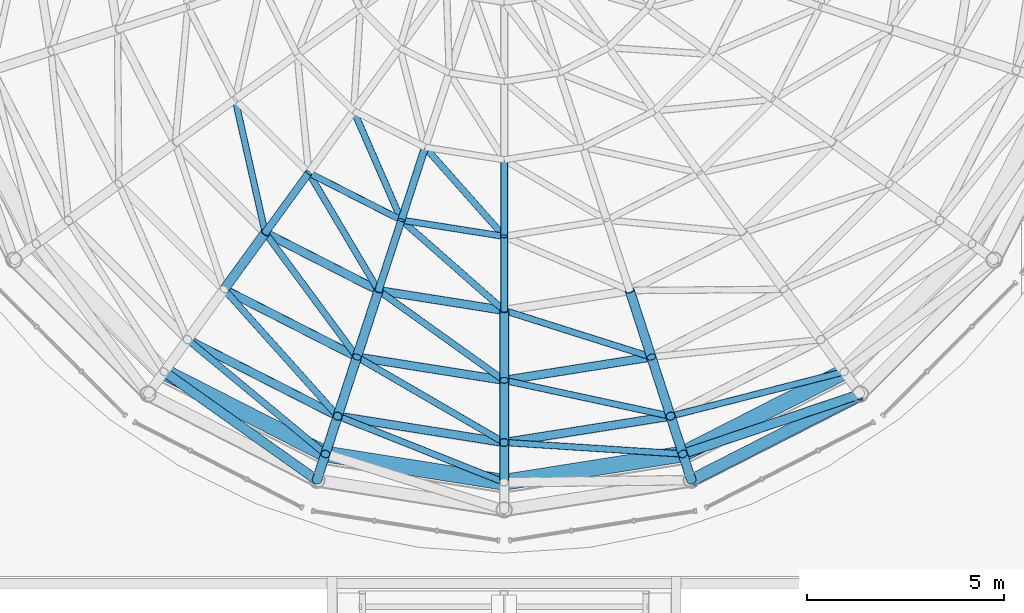
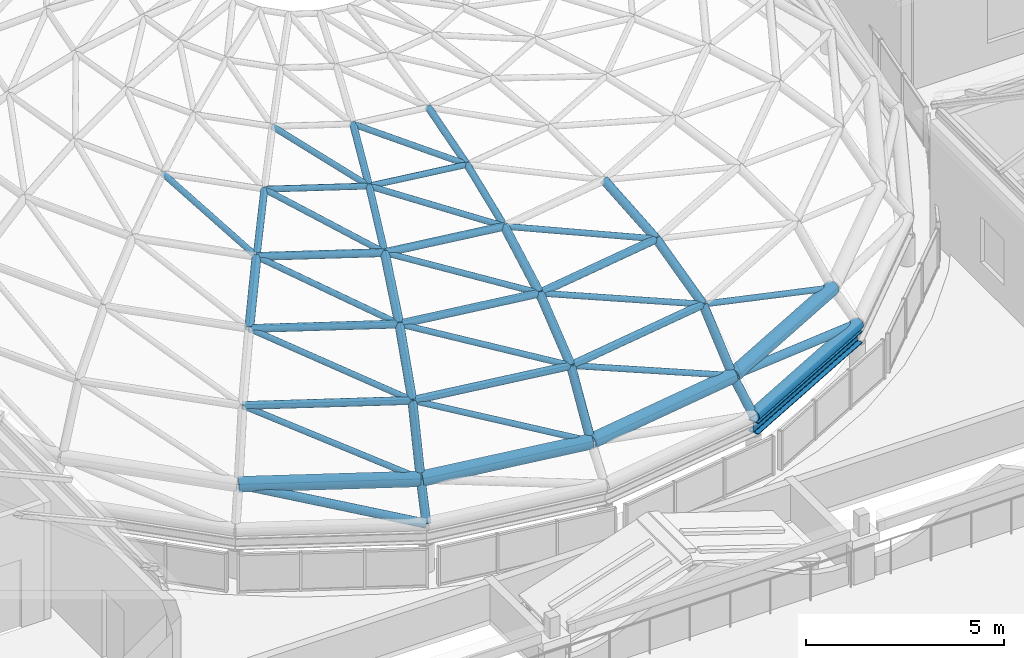
# One storey, part 18 of 69: 49 members, 1 beam.
"""IFC4 building model written with IfcOpenShell, lengths in metres."""

from ifc_helpers import new_model, si_unit, direction, frame, origin, origin_2d, place, context, subcontext, project, spatial, hollow_circle, i_section, extrude, material, material_profile, profile_set, type_object, element, save


model = new_model("IFC4")

# Units and contexts
model_context = context("Model", 3, precision=1e-05, world=origin(), true_north=direction((0.0, 1.0)))
body_context = subcontext(model_context, "Body", "Model", "MODEL_VIEW")
ifc_project = project(units=[si_unit("LENGTHUNIT", "METRE"), si_unit("AREAUNIT", "SQUARE_METRE"), si_unit("VOLUMEUNIT", "CUBIC_METRE"), si_unit("PLANEANGLEUNIT", "RADIAN"), si_unit("MASSUNIT", "GRAM", prefix="KILO")], contexts=[model_context])

# Site, building, storey
site_placement = place(None, origin())
site = spatial("IfcSite", under=ifc_project, at=site_placement, CompositionType="ELEMENT")
building_placement = place(site_placement, origin())
building = spatial("IfcBuilding", under=site, at=building_placement, Name="Kallimachos Central Library", CompositionType="ELEMENT")
storey_placement = place(building_placement, frame((0.0, 0.0, 23.39990234375)))
storey = spatial("IfcBuildingStorey", under=building, at=storey_placement, Name="L05", CompositionType="ELEMENT", Elevation=23.39990234375)

# Members
ifc_material_1 = material(Name="Steel S355J2H", Category="steel")
ifc_material_profile_1 = material_profile(ifc_material_1, hollow_circle(Radius=0.084228515625, WallThickness=0.008056640625, at=origin_2d()), Name="CHS 168.3x8")
ifc_profile_set_1 = profile_set([ifc_material_profile_1], Name="Steel S355J2H")
member_type_1 = type_object("IfcMemberType", Name="CHS 168.3x8 dome diagonal", PredefinedType="BRACE", material=ifc_profile_set_1)
for number, where, z_axis, x_axis, name in (
    (1, (84.177490234375, 99.138916015625, 7.582763671875), (0.392941914749, -0.900495188225, -0.1862929618), (0.916539915669, 0.399943224702, 0.0), "Dome diagonal DD-2-13"),
    (2, (85.990478515625, 98.21533203125, 7.582763671875), (0.65194190853, -0.7350286613, -0.186291746916), (0.748124985119, 0.66355783971, 0.0), "Dome diagonal DD-2-14"),
):
    element("IfcMember", number, at=place(storey_placement, frame(where, z_axis=z_axis, x_axis=x_axis)), inside=storey, type_object=member_type_1, Name=name, PredefinedType="BRACE", context=body_context, shape_type="SweptSolid", body=[
        extrude(hollow_circle(Radius=0.084228515625, WallThickness=0.008056640625, at=origin_2d()), origin(), (0.0, 0.0, 1.0), 3.082275390625),
    ])
for number, where, z_axis, x_axis, name in (
    (3, (81.16357421875, 99.43310546875, 7.008544921875), (0.214424844042, -0.953113630187, -0.213533122042), (0.975615394569, 0.219487133748, 0.0), "Dome diagonal DD-3-12"),
    (4, (83.032958984375, 97.563720703125, 7.008544921875), (0.498467451237, -0.840199230797, -0.213530917256), (0.860034809868, 0.510235363157, 0.0), "Dome diagonal DD-3-13"),
):
    element("IfcMember", number, at=place(storey_placement, frame(where, z_axis=z_axis, x_axis=x_axis)), inside=storey, type_object=member_type_1, Name=name, PredefinedType="BRACE", context=body_context, shape_type="SweptSolid", body=[
        extrude(hollow_circle(Radius=0.084228515625, WallThickness=0.008056640625, at=origin_2d()), origin(), (0.0, 0.0, 1.0), 3.559326171875),
    ])
member_1_placement = place(storey_placement, frame((85.388671875, 96.36328125, 7.008544921875), z_axis=(0.73368706662, -0.645062937032, -0.213534764247), x_axis=(0.66029227065, 0.751008733185, 0.0)))
element("IfcMember", 5, at=member_1_placement, inside=storey, type_object=member_type_1, Name="Dome diagonal DD-3-14", PredefinedType="BRACE", context=body_context, shape_type="SweptSolid", body=[
    extrude(hollow_circle(Radius=0.084228515625, WallThickness=0.008056640625, at=origin_2d()), origin(), (0.0, 0.0, 1.0), 3.55908203125),
])
member_2_placement = place(storey_placement, frame((81.9267578125, 96.040771484375, 6.24853515625), z_axis=(0.576308308744, -0.780481626209, -0.242316248781), x_axis=(0.804456590267, 0.594011442968, 0.0)))
element("IfcMember", 6, at=member_2_placement, inside=storey, type_object=member_type_1, Name="Dome diagonal DD-4-13", PredefinedType="BRACE", context=body_context, shape_type="SweptSolid", body=[
    extrude(hollow_circle(Radius=0.084228515625, WallThickness=0.008056640625, at=origin_2d()), origin(), (0.0, 0.0, 1.0), 4.045166015625),
])
for number, where, z_axis, x_axis, name in (
    (7, (84.80712890625, 94.5732421875, 6.24853515625), (0.789267453996, -0.564219408733, -0.242308367319), (0.581550014211, 0.813510652033, 0.0), "Dome diagonal DD-4-14"),
    (8, (88.0, 94.0673828125, 6.24853515625), (0.925010087713, -0.292645260998, -0.242311965953), (0.301634454109, 0.953423649851, 0.0), "Dome diagonal DD-4-15"),
):
    element("IfcMember", number, at=place(storey_placement, frame(where, z_axis=z_axis, x_axis=x_axis)), inside=storey, type_object=member_type_1, Name=name, PredefinedType="BRACE", context=body_context, shape_type="SweptSolid", body=[
        extrude(hollow_circle(Radius=0.084228515625, WallThickness=0.008056640625, at=origin_2d()), origin(), (0.0, 0.0, 1.0), 4.04541015625),
    ])
member_3_placement = place(storey_placement, frame((80.88232421875, 94.603515625, 5.268310546875), z_axis=(0.640319698007, -0.714654605031, -0.281530601982), x_axis=(0.744779250072, 0.66731092353, 0.0)))
element("IfcMember", 9, at=member_3_placement, inside=storey, type_object=member_type_1, Name="Dome diagonal DD-5-13", PredefinedType="BRACE", context=body_context, shape_type="SweptSolid", body=[
    extrude(hollow_circle(Radius=0.084228515625, WallThickness=0.008056640625, at=origin_2d()), origin(), (0.0, 0.0, 1.0), 4.50927734375),
])
member_4_placement = place(storey_placement, frame((84.258056640625, 92.883544921875, 5.268310546875), z_axis=(0.829800504036, -0.481844097731, -0.281526888562), x_axis=(0.502154573364, 0.864777881568, 0.0)))
element("IfcMember", 10, at=member_4_placement, inside=storey, type_object=member_type_1, Name="Dome diagonal DD-5-14", PredefinedType="BRACE", context=body_context, shape_type="SweptSolid", body=[
    extrude(hollow_circle(Radius=0.084228515625, WallThickness=0.008056640625, at=origin_2d()), origin(), (0.0, 0.0, 1.0), 4.509521484375),
])
member_5_placement = place(storey_placement, frame((88.0, 92.290771484375, 5.268310546875), z_axis=(0.938095847414, -0.201782375675, -0.281531621548), x_axis=(0.210288119919, 0.977639456354, 0.0)))
element("IfcMember", 11, at=member_5_placement, inside=storey, type_object=member_type_1, Name="Dome diagonal DD-5-15", PredefinedType="BRACE", context=body_context, shape_type="SweptSolid", body=[
    extrude(hollow_circle(Radius=0.084228515625, WallThickness=0.008056640625, at=origin_2d()), origin(), (0.0, 0.0, 1.0), 4.50927734375),
])
for number, where, z_axis, x_axis, name in (
    (12, (79.95361328125, 93.3251953125, 3.998779296875), (0.720010753711, -0.597099218971, -0.353634044238), (0.638346721018, 0.769748961523, 0.0), "Dome diagonal DD-6-13"),
    (13, (83.769775390625, 91.380859375, 3.998779296875), (0.869270706881, -0.345410562525, -0.353638207007), (0.369272080701, 0.929321327859, 0.0), "Dome diagonal DD-6-14"),
):
    element("IfcMember", number, at=place(storey_placement, frame(where, z_axis=z_axis, x_axis=x_axis)), inside=storey, type_object=member_type_1, Name=name, PredefinedType="BRACE", context=body_context, shape_type="SweptSolid", body=[
        extrude(hollow_circle(Radius=0.084228515625, WallThickness=0.008056640625, at=origin_2d()), origin(), (0.0, 0.0, 1.0), 4.866455078125),
    ])
for number, where, z_axis, x_axis, name in (
    (14, (88.0, 90.710693359375, 3.998779296875), (0.933461755214, -0.059852728903, -0.353647850828), (0.06398770127, 0.997950687202, 0.0), "Dome diagonal DD-6-15"),
    (15, (92.230224609375, 91.380859375, 3.998779296875), (0.906269839108, 0.231534284072, -0.353647923819), (-0.247530017622, 0.96888022499, 0.0), "Dome diagonal DD-6-16"),
):
    element("IfcMember", number, at=place(storey_placement, frame(where, z_axis=z_axis, x_axis=x_axis)), inside=storey, type_object=member_type_1, Name=name, PredefinedType="BRACE", context=body_context, shape_type="SweptSolid", body=[
        extrude(hollow_circle(Radius=0.084228515625, WallThickness=0.008056640625, at=origin_2d()), origin(), (0.0, 0.0, 1.0), 4.8662109375),
    ])
ifc_material_2 = material(Name="Steel S355J2H", Category="steel")
ifc_material_profile_2 = material_profile(ifc_material_2, hollow_circle(Radius=0.084228515625, WallThickness=0.008056640625, at=origin_2d()), Name="CHS 168.3x8")
ifc_profile_set_2 = profile_set([ifc_material_profile_2], Name="Steel S355J2H")
member_type_2 = type_object("IfcMemberType", Name="CHS 168.3x8 dome ring", PredefinedType="PURLIN", material=ifc_profile_set_2)
member_6_placement = place(storey_placement, frame((83.032958984375, 97.563720703125, 7.008544921875), z_axis=(0.890984525053, -0.454033672887, 0.0), x_axis=(0.454033672887, 0.890984525053, 0.0)))
element("IfcMember", 16, at=member_6_placement, inside=storey, type_object=member_type_2, Name="Dome ring DN-3-13", PredefinedType="PURLIN", context=body_context, shape_type="SweptSolid", body=[
    extrude(hollow_circle(Radius=0.084228515625, WallThickness=0.008056640625, at=origin_2d()), origin(), (0.0, 0.0, 1.0), 2.64404296875),
])
member_7_placement = place(storey_placement, frame((85.388671875, 96.36328125, 7.008544921875), z_axis=(0.987689481603, -0.15642726083, 0.0), x_axis=(0.15642726083, 0.987689481603, 0.0)))
element("IfcMember", 17, at=member_7_placement, inside=storey, type_object=member_type_2, Name="Dome ring DN-3-14", PredefinedType="PURLIN", context=body_context, shape_type="SweptSolid", body=[
    extrude(hollow_circle(Radius=0.084228515625, WallThickness=0.008056640625, at=origin_2d()), origin(), (0.0, 0.0, 1.0), 2.643798828125),
])
ifc_material_3 = material(Name="Steel S355J2H", Category="steel")
ifc_material_profile_3 = material_profile(ifc_material_3, hollow_circle(Radius=0.096923828125, WallThickness=0.010009765625, at=origin_2d()), Name="CHS 193.7x10")
ifc_profile_set_3 = profile_set([ifc_material_profile_3], Name="Steel S355J2H")
member_type_3 = type_object("IfcMemberType", Name="CHS 193.7x10 dome rib", PredefinedType="RAFTER", material=ifc_profile_set_3)
for number, where, z_axis, x_axis, name in (
    (18, (85.990478515625, 98.21533203125, 7.582763671875), (-0.296417255787, -0.912219595294, -0.28282895968), (0.951050650963, -0.309035045429, 0.0), "Dome rib DR-2-14"),
    (19, (88.0, 97.89697265625, 7.582763671875), (0.0, -0.959166111673, -0.282843366933), (1.0, 0.0, 0.0), "Dome rib DR-2-15"),
):
    element("IfcMember", number, at=place(storey_placement, frame(where, z_axis=z_axis, x_axis=x_axis)), inside=storey, type_object=member_type_3, Name=name, PredefinedType="RAFTER", context=body_context, shape_type="SweptSolid", body=[
        extrude(hollow_circle(Radius=0.096923828125, WallThickness=0.010009765625, at=origin_2d()), origin(), (0.0, 0.0, 1.0), 2.0302734375),
    ])
member_8_placement = place(storey_placement, frame((83.032958984375, 97.563720703125, 7.008544921875), z_axis=(-0.544941880115, -0.750242208819, -0.374399486382), x_axis=(0.80908929226, -0.587685729918, 0.0)))
element("IfcMember", 20, at=member_8_placement, inside=storey, type_object=member_type_3, Name="Dome rib DR-3-13", PredefinedType="RAFTER", context=body_context, shape_type="SweptSolid", body=[
    extrude(hollow_circle(Radius=0.096923828125, WallThickness=0.010009765625, at=origin_2d()), origin(), (0.0, 0.0, 1.0), 2.030029296875),
])
member_9_placement = place(storey_placement, frame((85.388671875, 96.36328125, 7.008544921875), z_axis=(-0.286504025632, -0.881883927765, -0.374427805119), x_axis=(0.951068379711, -0.308980480151, 0.0)))
element("IfcMember", 21, at=member_9_placement, inside=storey, type_object=member_type_3, Name="Dome rib DR-3-14", PredefinedType="RAFTER", context=body_context, shape_type="SweptSolid", body=[
    extrude(hollow_circle(Radius=0.096923828125, WallThickness=0.010009765625, at=origin_2d()), origin(), (0.0, 0.0, 1.0), 2.02978515625),
])
member_10_placement = place(storey_placement, frame((88.0, 95.94970703125, 7.008544921875), z_axis=(0.0, -0.927269138814, -0.374395438278), x_axis=(1.0, 0.0, 0.0)))
element("IfcMember", 22, at=member_10_placement, inside=storey, type_object=member_type_3, Name="Dome rib DR-3-15", PredefinedType="RAFTER", context=body_context, shape_type="SweptSolid", body=[
    extrude(hollow_circle(Radius=0.096923828125, WallThickness=0.010009765625, at=origin_2d()), origin(), (0.0, 0.0, 1.0), 2.030029296875),
])
ifc_material_4 = material(Name="Steel S355J2H", Category="steel")
ifc_material_profile_4 = material_profile(ifc_material_4, hollow_circle(Radius=0.109619140625, WallThickness=0.012451171875, at=origin_2d()), Name="CHS 219.1x12.5")
ifc_profile_set_4 = profile_set([ifc_material_profile_4], Name="Steel S355J2H")
member_type_4 = type_object("IfcMemberType", Name="CHS 219.1x12.5 dome ring", PredefinedType="PURLIN", material=ifc_profile_set_4)
for number, where, z_axis, x_axis, name in (
    (23, (81.9267578125, 96.040771484375, 6.24853515625), (0.891018171034, -0.453967640794, 0.0), (0.453967640794, 0.891018171034, 0.0), "Dome ring DN-4-13"),
    (24, (84.80712890625, 94.5732421875, 6.24853515625), (0.987680774655, -0.156482227029, 0.0), (0.156482227029, 0.987680774655, 0.0), "Dome ring DN-4-14"),
):
    element("IfcMember", number, at=place(storey_placement, frame(where, z_axis=z_axis, x_axis=x_axis)), inside=storey, type_object=member_type_4, Name=name, PredefinedType="PURLIN", context=body_context, shape_type="SweptSolid", body=[
        extrude(hollow_circle(Radius=0.109619140625, WallThickness=0.012451171875, at=origin_2d()), origin(), (0.0, 0.0, 1.0), 3.232666015625),
    ])
for number, where, z_axis, x_axis, name in (
    (25, (80.88232421875, 94.603515625, 5.268310546875), (0.891011956133, -0.45397983879, 0.0), (0.45397983879, 0.891011956133, 0.0), "Dome ring DN-5-13"),
    (26, (84.258056640625, 92.883544921875, 5.268310546875), (0.987683942521, -0.156462230863, 0.0), (0.156462230863, 0.987683942521, 0.0), "Dome ring DN-5-14"),
    (27, (88.0, 92.290771484375, 5.268310546875), (0.987683942521, 0.156462230863, 0.0), (-0.156462230863, 0.987683942521, 0.0), "Dome ring DN-5-15"),
):
    element("IfcMember", number, at=place(storey_placement, frame(where, z_axis=z_axis, x_axis=x_axis)), inside=storey, type_object=member_type_4, Name=name, PredefinedType="PURLIN", context=body_context, shape_type="SweptSolid", body=[
        extrude(hollow_circle(Radius=0.109619140625, WallThickness=0.012451171875, at=origin_2d()), origin(), (0.0, 0.0, 1.0), 3.78857421875),
    ])
for number, where, z_axis, x_axis, name in (
    (28, (79.95361328125, 93.3251953125, 3.998779296875), (0.891015569784, -0.453972746322, 0.0), (0.453972746322, 0.891015569784, 0.0), "Dome ring DN-6-13"),
    (29, (83.769775390625, 91.380859375, 3.998779296875), (0.987682414265, -0.15647187783, 0.0), (0.15647187783, 0.987682414265, 0.0), "Dome ring DN-6-14"),
    (30, (88.0, 90.710693359375, 3.998779296875), (0.987682414265, 0.15647187783, 0.0), (-0.15647187783, 0.987682414265, 0.0), "Dome ring DN-6-15"),
):
    element("IfcMember", number, at=place(storey_placement, frame(where, z_axis=z_axis, x_axis=x_axis)), inside=storey, type_object=member_type_4, Name=name, PredefinedType="PURLIN", context=body_context, shape_type="SweptSolid", body=[
        extrude(hollow_circle(Radius=0.109619140625, WallThickness=0.012451171875, at=origin_2d()), origin(), (0.0, 0.0, 1.0), 4.282958984375),
    ])
ifc_material_5 = material(Name="Steel S355J2H", Category="steel")
ifc_material_profile_5 = material_profile(ifc_material_5, hollow_circle(Radius=0.122314453125, WallThickness=0.012451171875, at=origin_2d()), Name="CHS 244.5x12.5")
ifc_profile_set_5 = profile_set([ifc_material_profile_5], Name="Steel S355J2H")
member_type_5 = type_object("IfcMemberType", Name="CHS 244.5x12.5 dome diagonal", PredefinedType="BRACE", material=ifc_profile_set_5)
member_11_placement = place(storey_placement, frame((79.359619140625, 92.507568359375, 2.27783203125), z_axis=(0.801383692593, -0.568564567108, -0.185791577514), x_axis=(0.578639151255, 0.815583676047, 0.0)))
element("IfcMember", 31, at=member_11_placement, inside=storey, type_object=member_type_5, Name="Dome diagonal DD-7-13", PredefinedType="BRACE", context=body_context, shape_type="SweptSolid", body=[
    extrude(hollow_circle(Radius=0.122314453125, WallThickness=0.012451171875, at=origin_2d()), origin(), (0.0, 0.0, 1.0), 4.843505859375),
])
member_12_placement = place(storey_placement, frame((92.54248046875, 90.41943359375, 2.27783203125), z_axis=(0.931010843657, 0.314167645959, -0.185788856571), x_axis=(-0.31973431927, 0.947507237482, 0.0)))
element("IfcMember", 32, at=member_12_placement, inside=storey, type_object=member_type_5, Name="Dome diagonal DD-7-16", PredefinedType="BRACE", context=body_context, shape_type="SweptSolid", body=[
    extrude(hollow_circle(Radius=0.122314453125, WallThickness=0.012451171875, at=origin_2d()), origin(), (0.0, 0.0, 1.0), 4.84375),
])
ifc_material_6 = material(Name="Steel S355J2H", Category="steel")
ifc_material_profile_6 = material_profile(ifc_material_6, hollow_circle(Radius=0.122314453125, WallThickness=0.012451171875, at=origin_2d()), Name="CHS 244.5x12.5")
ifc_profile_set_6 = profile_set([ifc_material_profile_6], Name="Steel S355J2H")
member_type_6 = type_object("IfcMemberType", Name="CHS 244.5x12.5 dome rib", PredefinedType="RAFTER", material=ifc_profile_set_6)
for number, where, z_axis, x_axis, name in (
    (33, (81.9267578125, 96.040771484375, 6.24853515625), (-0.514718797347, -0.708309855068, -0.483075262119), (0.808961830898, -0.587861170814, 0.0), "Dome rib DR-4-13"),
    (34, (84.80712890625, 94.5732421875, 6.24853515625), (-0.270593967186, -0.83271713957, -0.483074601267), (0.951047195677, -0.309045678815, 0.0), "Dome rib DR-4-14"),
    (35, (88.0, 94.0673828125, 6.24853515625), (0.0, -0.875572419267, -0.483086885166), (1.0, 0.0, 0.0), "Dome rib DR-4-15"),
    (36, (91.19287109375, 94.5732421875, 6.24853515625), (0.270593967186, -0.83271713957, -0.483074601267), (0.951047195677, 0.309045678815, 0.0), "Dome rib DR-4-16"),
):
    element("IfcMember", number, at=place(storey_placement, frame(where, z_axis=z_axis, x_axis=x_axis)), inside=storey, type_object=member_type_6, Name=name, PredefinedType="RAFTER", context=body_context, shape_type="SweptSolid", body=[
        extrude(hollow_circle(Radius=0.122314453125, WallThickness=0.012451171875, at=origin_2d()), origin(), (0.0, 0.0, 1.0), 2.029052734375),
    ])
for number, where, z_axis, x_axis, name in (
    (37, (84.258056640625, 92.883544921875, 5.268310546875), (-0.240904371031, -0.741383201847, -0.62635136468), (0.951051099951, -0.309033663672, 0.0), "Dome rib DR-5-14"),
    (38, (88.0, 92.290771484375, 5.268310546875), (0.0, -0.779550942262, -0.626338828764), (1.0, 0.0, 0.0), "Dome rib DR-5-15"),
    (39, (91.741943359375, 92.883544921875, 5.268310546875), (0.240904371031, -0.741383201847, -0.62635136468), (0.951051099951, 0.309033663672, 0.0), "Dome rib DR-5-16"),
):
    element("IfcMember", number, at=place(storey_placement, frame(where, z_axis=z_axis, x_axis=x_axis)), inside=storey, type_object=member_type_6, Name=name, PredefinedType="RAFTER", context=body_context, shape_type="SweptSolid", body=[
        extrude(hollow_circle(Radius=0.122314453125, WallThickness=0.012451171875, at=origin_2d()), origin(), (0.0, 0.0, 1.0), 2.02685546875),
    ])
for number, where, z_axis, x_axis, name in (
    (40, (83.769775390625, 91.380859375, 3.998779296875), (-0.156450889293, -0.481707272897, -0.862253572029), (0.951094395752, -0.308900389072, 0.0), "Dome rib DR-6-14"),
    (41, (88.0, 90.710693359375, 3.998779296875), (0.0, -0.506431960576, -0.862279925145), (1.0, 0.0, 0.0), "Dome rib DR-6-15"),
    (42, (92.230224609375, 91.380859375, 3.998779296875), (0.156450889293, -0.481707272897, -0.862253572029), (0.951094395752, 0.308900389072, 0.0), "Dome rib DR-6-16"),
):
    element("IfcMember", number, at=place(storey_placement, frame(where, z_axis=z_axis, x_axis=x_axis)), inside=storey, type_object=member_type_6, Name=name, PredefinedType="RAFTER", context=body_context, shape_type="SweptSolid", body=[
        extrude(hollow_circle(Radius=0.122314453125, WallThickness=0.012451171875, at=origin_2d()), origin(), (0.0, 0.0, 1.0), 1.995849609375),
    ])
for number, where, z_axis, x_axis, name in (
    (43, (83.45751953125, 90.41943359375, 2.27783203125), (-0.189725015868, -0.583950472089, -0.78930745879), (0.951062257173, -0.308999325213, 0.0), "Dome rib DR-7-14"),
    (44, (92.54248046875, 90.41943359375, 2.27783203125), (0.189725015868, -0.583950472089, -0.78930745879), (0.951062257173, 0.308999325213, 0.0), "Dome rib DR-7-16"),
):
    element("IfcMember", number, at=place(storey_placement, frame(where, z_axis=z_axis, x_axis=x_axis)), inside=storey, type_object=member_type_6, Name=name, PredefinedType="RAFTER", context=body_context, shape_type="SweptSolid", body=[
        extrude(hollow_circle(Radius=0.122314453125, WallThickness=0.012451171875, at=origin_2d()), origin(), (0.0, 0.0, 1.0), 1.14013671875),
    ])
ifc_material_7 = material(Name="Steel S355J2H", Category="steel")
ifc_material_profile_7 = material_profile(ifc_material_7, hollow_circle(Radius=0.177734375, WallThickness=0.008056640625, at=origin_2d()), Name="CHS 355.6x8")
ifc_profile_set_7 = profile_set([ifc_material_profile_7], Name="Steel S355J2H")
member_type_7 = type_object("IfcMemberType", Name="CHS 355.6x8 dome ring", PredefinedType="PURLIN", material=ifc_profile_set_7)
member_13_placement = place(storey_placement, frame((92.7587890625, 89.753662109375, 1.3779296875), z_axis=(0.891006627269, 0.453990297432, 0.0), x_axis=(-0.453990297432, 0.891006627269, 0.0)))
element("IfcMember", 45, at=member_13_placement, inside=storey, type_object=member_type_7, Name="Dome ring DN-8-16", PredefinedType="PURLIN", context=body_context, shape_type="SweptSolid", body=[
    extrude(hollow_circle(Radius=0.177734375, WallThickness=0.008056640625, at=origin_2d()), origin(), (0.0, 0.0, 1.0), 4.818359375),
])
ifc_material_8 = material(Name="Steel S355J2H", Category="steel")
ifc_material_profile_8 = material_profile(ifc_material_8, hollow_circle(Radius=0.203125, WallThickness=0.012451171875, at=origin_2d()), Name="CHS 406.4x12.5")
ifc_profile_set_8 = profile_set([ifc_material_profile_8], Name="Steel S355J2H")
member_type_8 = type_object("IfcMemberType", Name="CHS 406.4x12.5 dome ring", PredefinedType="PURLIN", material=ifc_profile_set_8)
member_14_placement = place(storey_placement, frame((79.359619140625, 92.507568359375, 2.27783203125), z_axis=(0.890993311189, -0.454016430778, 0.0), x_axis=(0.454016430778, 0.890993311189, 0.0)))
element("IfcMember", 46, at=member_14_placement, inside=storey, type_object=member_type_8, Name="Dome ring DN-7-13", PredefinedType="PURLIN", context=body_context, shape_type="SweptSolid", body=[
    extrude(hollow_circle(Radius=0.203125, WallThickness=0.012451171875, at=origin_2d()), origin(), (0.0, 0.0, 1.0), 4.599365234375),
])
for number, where, z_axis, x_axis, name in (
    (47, (83.45751953125, 90.41943359375, 2.27783203125), (0.987687527738, -0.156439597132, 0.0), (0.156439597132, 0.987687527738, 0.0), "Dome ring DN-7-14"),
    (48, (88.0, 89.699951171875, 2.27783203125), (0.987687527738, 0.156439597132, 0.0), (-0.156439597132, 0.987687527738, 0.0), "Dome ring DN-7-15"),
):
    element("IfcMember", number, at=place(storey_placement, frame(where, z_axis=z_axis, x_axis=x_axis)), inside=storey, type_object=member_type_8, Name=name, PredefinedType="PURLIN", context=body_context, shape_type="SweptSolid", body=[
        extrude(hollow_circle(Radius=0.203125, WallThickness=0.012451171875, at=origin_2d()), origin(), (0.0, 0.0, 1.0), 4.59912109375),
    ])
member_15_placement = place(storey_placement, frame((92.54248046875, 90.41943359375, 2.27783203125), z_axis=(0.890993311189, 0.454016430778, 0.0), x_axis=(-0.454016430778, 0.890993311189, 0.0)))
element("IfcMember", 49, at=member_15_placement, inside=storey, type_object=member_type_8, Name="Dome ring DN-7-16", PredefinedType="PURLIN", context=body_context, shape_type="SweptSolid", body=[
    extrude(hollow_circle(Radius=0.203125, WallThickness=0.012451171875, at=origin_2d()), origin(), (0.0, 0.0, 1.0), 4.599365234375),
])

# Beam
ifc_material_9 = material(Name="Steel S355J2", Category="steel")
ifc_material_profile_9 = material_profile(ifc_material_9, i_section(OverallWidth=0.300048828125, OverallDepth=0.360107421875, WebThickness=0.012451171875, FlangeThickness=0.0224609375, FilletRadius=0.027099609375, at=origin_2d()), Name="HEB 360")
ifc_profile_set_9 = profile_set([ifc_material_profile_9], Name="Steel S355J2")
beam_type = type_object("IfcBeamType", Name="HEB 360 beam", PredefinedType="BEAM", material=ifc_profile_set_9)
beam_placement = place(storey_placement, frame((92.7587890625, 89.753662109375, 1.02001953125), z_axis=(0.891006627269, 0.453990297432, 0.0), x_axis=(-0.453990297432, 0.891006627269, 0.0)))
element("IfcBeam", 50, at=beam_placement, inside=storey, type_object=beam_type, Name="V1-BEM-L05-017", PredefinedType="BEAM", context=body_context, shape_type="SweptSolid", body=[
    extrude(i_section(OverallWidth=0.300048828125, OverallDepth=0.360107421875, WebThickness=0.012451171875, FlangeThickness=0.0224609375, FilletRadius=0.027099609375, at=origin_2d()), origin(), (0.0, 0.0, 1.0), 4.818359375),
])

save(model, "model.ifc")
